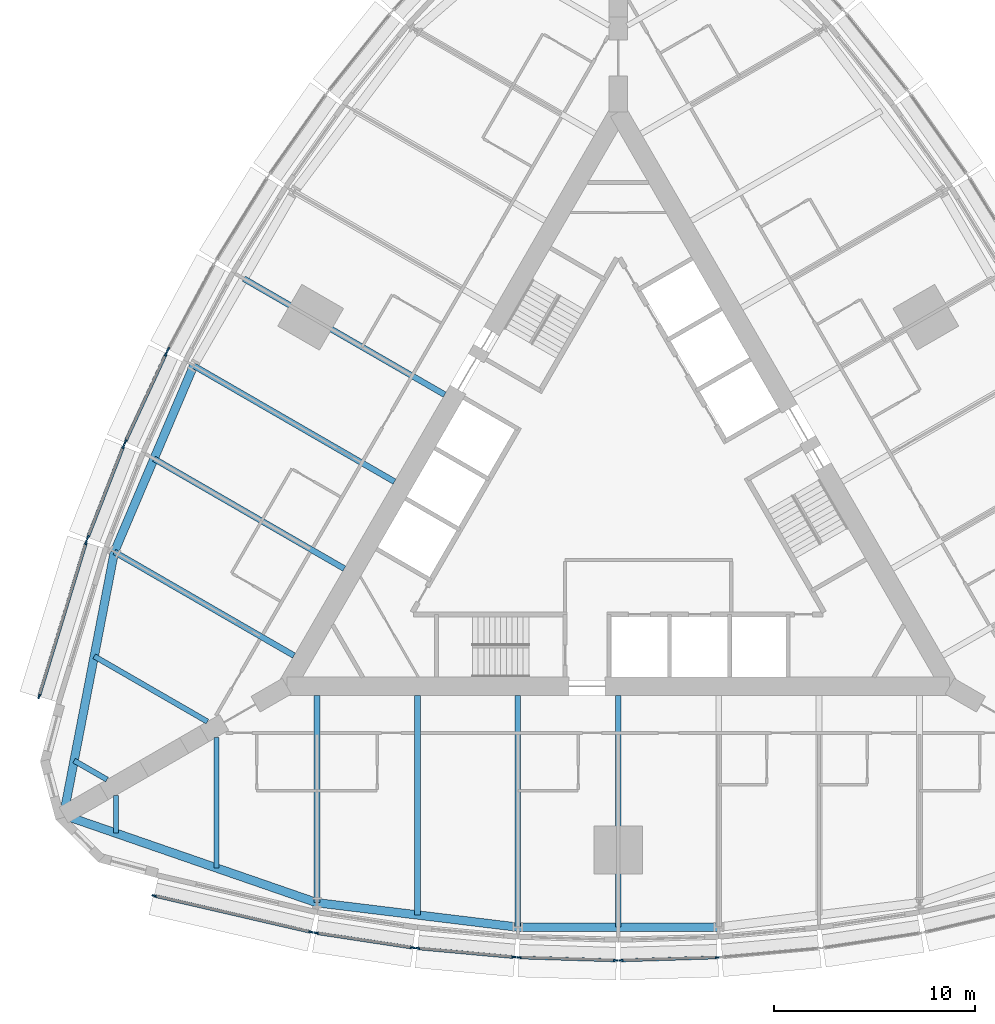
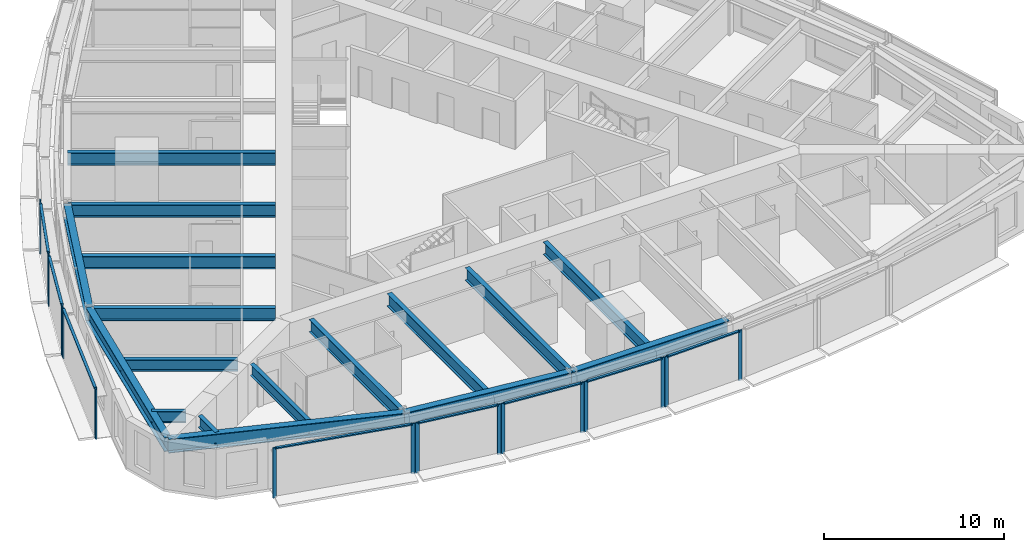
# One storey, part 2 of 14: 25 members, 17 beams, 9 elements without a shape of their own.
"""IFC4 building model written with IfcOpenShell, lengths in metres."""

from ifc_helpers import new_model, si_unit, direction, frame, origin, origin_2d, place, context, subcontext, project, spatial, rectangle, i_section, extrude, material, material_profile, profile_set, type_object, element, aggregate, save


model = new_model("IFC4")

# Units and contexts
model_context = context("Model", 3, precision=1e-05, world=origin(), true_north=direction((0.0, 1.0)))
body_context = subcontext(model_context, "Body", "Model", "MODEL_VIEW")
ifc_project = project(units=[si_unit("LENGTHUNIT", "METRE"), si_unit("AREAUNIT", "SQUARE_METRE"), si_unit("VOLUMEUNIT", "CUBIC_METRE"), si_unit("PLANEANGLEUNIT", "RADIAN"), si_unit("MASSUNIT", "GRAM", prefix="KILO")], contexts=[model_context])

# Site, building, storey
site_placement = place(None, origin())
site = spatial("IfcSite", under=ifc_project, at=site_placement, CompositionType="ELEMENT")
building_placement = place(site_placement, origin())
building = spatial("IfcBuilding", under=site, at=building_placement, Name="Trikona Tower", CompositionType="ELEMENT")
storey_placement = place(building_placement, frame((0.0, 0.0, 86.300048828125)))
storey = spatial("IfcBuildingStorey", under=building, at=storey_placement, Name="L22", CompositionType="ELEMENT", Elevation=86.300048828125)

# Curtain wall, members
ifc_material_1 = material(Name="Aluminium curtain wall system", Category="aluminium")
curtain_wall_type = type_object("IfcCurtainWallType", Name="Curtain wall DS1", PredefinedType="NOTDEFINED", material=ifc_material_1)
curtain_wall_1_placement = place(storey_placement, origin())
curtain_wall_1 = element("IfcCurtainWall", 1, at=curtain_wall_1_placement, inside=storey, type_object=curtain_wall_type, Name="Curtain wall DS1 L22", PredefinedType="NOTDEFINED")
ifc_material_2 = material(Name="Aluminium mullion, pale anodised", Category="aluminium")
ifc_material_profile_1 = material_profile(ifc_material_2, rectangle(XDim=0.080078125, YDim=0.219970703125, at=origin_2d()), Name="MUL-DS1")
ifc_profile_set_1 = profile_set([ifc_material_profile_1], Name="Aluminium mullion, pale anodised")
member_type_1 = type_object("IfcMemberType", Name="Mullion DS1 80x220", PredefinedType="MULLION", material=ifc_profile_set_1)
member_1_placement = place(storey_placement, frame((-23.10546875, -19.951904296875, 0.0), z_axis=(0.0, 0.0, 1.0), x_axis=(0.225343288756, 0.974279427173, 0.0)))
member_1 = element("IfcMember", 2, at=member_1_placement, type_object=member_type_1, Name="CW-DS1 mullion 1", PredefinedType="MULLION", context=body_context, shape_type="SweptSolid", body=[
    extrude(rectangle(XDim=0.080078125, YDim=0.219970703125, at=origin_2d()), origin(), (0.0, 0.0, 1.0), 3.39990234375),
])
member_2_placement = place(storey_placement, frame((-15.30029296875, -21.75732421875, 0.0), z_axis=(0.0, 0.0, 1.0), x_axis=(0.225343288756, 0.974279427173, 0.0)))
member_2 = element("IfcMember", 3, at=member_2_placement, type_object=member_type_1, Name="CW-DS1 mullion 2", PredefinedType="MULLION", context=body_context, shape_type="SweptSolid", body=[
    extrude(rectangle(XDim=0.080078125, YDim=0.219970703125, at=origin_2d()), origin(), (0.0, 0.0, 1.0), 3.39990234375),
])

curtain_wall_2_placement = place(storey_placement, origin())
curtain_wall_2 = element("IfcCurtainWall", 4, at=curtain_wall_2_placement, inside=storey, type_object=curtain_wall_type, Name="Curtain wall DS1 L22", PredefinedType="NOTDEFINED")
member_3_placement = place(storey_placement, frame((-15.03662109375, -21.807861328125, 0.0), z_axis=(0.0, 0.0, 1.0), x_axis=(0.150437693845, 0.988619492156, 0.0)))
member_3 = element("IfcMember", 5, at=member_3_placement, type_object=member_type_1, Name="CW-DS1 mullion 1", PredefinedType="MULLION", context=body_context, shape_type="SweptSolid", body=[
    extrude(rectangle(XDim=0.080078125, YDim=0.219970703125, at=origin_2d()), origin(), (0.0, 0.0, 1.0), 3.39990234375),
])
member_4_placement = place(storey_placement, frame((-10.234130859375, -22.53857421875, 0.0), z_axis=(0.0, 0.0, 1.0), x_axis=(0.150437693845, 0.988619492156, 0.0)))
member_4 = element("IfcMember", 6, at=member_4_placement, type_object=member_type_1, Name="CW-DS1 mullion 2", PredefinedType="MULLION", context=body_context, shape_type="SweptSolid", body=[
    extrude(rectangle(XDim=0.080078125, YDim=0.219970703125, at=origin_2d()), origin(), (0.0, 0.0, 1.0), 3.39990234375),
])

curtain_wall_3_placement = place(storey_placement, origin())
curtain_wall_3 = element("IfcCurtainWall", 7, at=curtain_wall_3_placement, inside=storey, type_object=curtain_wall_type, Name="Curtain wall DS1 L22", PredefinedType="NOTDEFINED")
member_5_placement = place(storey_placement, frame((-9.982177734375, -22.5693359375, 0.0), z_axis=(0.0, 0.0, 1.0), x_axis=(0.090923932737, 0.995857840485, 0.0)))
member_5 = element("IfcMember", 8, at=member_5_placement, type_object=member_type_1, Name="CW-DS1 mullion 1", PredefinedType="MULLION", context=body_context, shape_type="SweptSolid", body=[
    extrude(rectangle(XDim=0.080078125, YDim=0.219970703125, at=origin_2d()), origin(), (0.0, 0.0, 1.0), 3.39990234375),
])
member_6_placement = place(storey_placement, frame((-5.181396484375, -23.007568359375, 0.0), z_axis=(0.0, 0.0, 1.0), x_axis=(0.090923932737, 0.995857840485, 0.0)))
member_6 = element("IfcMember", 9, at=member_6_placement, type_object=member_type_1, Name="CW-DS1 mullion 2", PredefinedType="MULLION", context=body_context, shape_type="SweptSolid", body=[
    extrude(rectangle(XDim=0.080078125, YDim=0.219970703125, at=origin_2d()), origin(), (0.0, 0.0, 1.0), 3.39990234375),
])

curtain_wall_4_placement = place(storey_placement, origin())
curtain_wall_4 = element("IfcCurtainWall", 10, at=curtain_wall_4_placement, inside=storey, type_object=curtain_wall_type, Name="Curtain wall DS1 L22", PredefinedType="NOTDEFINED")
member_7_placement = place(storey_placement, frame((-4.927490234375, -23.02294921875, 0.0), z_axis=(0.0, 0.0, 1.0), x_axis=(0.030436711692, 0.999536695965, 0.0)))
member_7 = element("IfcMember", 11, at=member_7_placement, type_object=member_type_1, Name="CW-DS1 mullion 1", PredefinedType="MULLION", context=body_context, shape_type="SweptSolid", body=[
    extrude(rectangle(XDim=0.080078125, YDim=0.219970703125, at=origin_2d()), origin(), (0.0, 0.0, 1.0), 3.39990234375),
])
member_8_placement = place(storey_placement, frame((-0.12744140625, -23.169189453125, 0.0), z_axis=(0.0, 0.0, 1.0), x_axis=(0.030436711692, 0.999536695965, 0.0)))
member_8 = element("IfcMember", 12, at=member_8_placement, type_object=member_type_1, Name="CW-DS1 mullion 2", PredefinedType="MULLION", context=body_context, shape_type="SweptSolid", body=[
    extrude(rectangle(XDim=0.080078125, YDim=0.219970703125, at=origin_2d()), origin(), (0.0, 0.0, 1.0), 3.39990234375),
])

curtain_wall_5_placement = place(storey_placement, origin())
curtain_wall_5 = element("IfcCurtainWall", 13, at=curtain_wall_5_placement, inside=storey, type_object=curtain_wall_type, Name="Curtain wall DS1 L22", PredefinedType="NOTDEFINED")
member_9_placement = place(storey_placement, frame((0.12744140625, -23.169189453125, 0.0), z_axis=(0.0, 0.0, 1.0), x_axis=(-0.030436711692, 0.999536695965, 0.0)))
member_9 = element("IfcMember", 14, at=member_9_placement, type_object=member_type_1, Name="CW-DS1 mullion 1", PredefinedType="MULLION", context=body_context, shape_type="SweptSolid", body=[
    extrude(rectangle(XDim=0.080078125, YDim=0.219970703125, at=origin_2d()), origin(), (0.0, 0.0, 1.0), 3.39990234375),
])
member_10_placement = place(storey_placement, frame((4.927490234375, -23.02294921875, 0.0), z_axis=(0.0, 0.0, 1.0), x_axis=(-0.030436711692, 0.999536695965, 0.0)))
member_10 = element("IfcMember", 15, at=member_10_placement, type_object=member_type_1, Name="CW-DS1 mullion 2", PredefinedType="MULLION", context=body_context, shape_type="SweptSolid", body=[
    extrude(rectangle(XDim=0.080078125, YDim=0.219970703125, at=origin_2d()), origin(), (0.0, 0.0, 1.0), 3.39990234375),
])

# Curtain wall, member
curtain_wall_6_placement = place(storey_placement, origin())
curtain_wall_6 = element("IfcCurtainWall", 16, at=curtain_wall_6_placement, inside=storey, type_object=curtain_wall_type, Name="Curtain wall DS1 L22", PredefinedType="NOTDEFINED")
member_11_placement = place(storey_placement, frame((-22.402099609375, 7.244140625, 0.0), z_axis=(0.0, 0.0, 1.0), x_axis=(0.880843080975, -0.473408350896, 0.0)))
member_11 = element("IfcMember", 17, at=member_11_placement, type_object=member_type_1, Name="CW-DS1 mullion 2", PredefinedType="MULLION", context=body_context, shape_type="SweptSolid", body=[
    extrude(rectangle(XDim=0.080078125, YDim=0.219970703125, at=origin_2d()), origin(), (0.0, 0.0, 1.0), 3.39990234375),
])
aggregate(curtain_wall_6, [member_11])

# Curtain wall, members
curtain_wall_7_placement = place(storey_placement, origin())
curtain_wall_7 = element("IfcCurtainWall", 18, at=curtain_wall_7_placement, inside=storey, type_object=curtain_wall_type, Name="Curtain wall DS1 L22", PredefinedType="NOTDEFINED")
member_12_placement = place(storey_placement, frame((-22.515869140625, 7.0166015625, 0.0), z_axis=(0.0, 0.0, 1.0), x_axis=(0.907898459992, -0.419190155352, 0.0)))
member_12 = element("IfcMember", 19, at=member_12_placement, type_object=member_type_1, Name="CW-DS1 mullion 1", PredefinedType="MULLION", context=body_context, shape_type="SweptSolid", body=[
    extrude(rectangle(XDim=0.080078125, YDim=0.219970703125, at=origin_2d()), origin(), (0.0, 0.0, 1.0), 3.39990234375),
])
member_13_placement = place(storey_placement, frame((-24.53662109375, 2.6396484375, 0.0), z_axis=(0.0, 0.0, 1.0), x_axis=(0.907898459992, -0.419190155352, 0.0)))
member_13 = element("IfcMember", 20, at=member_13_placement, type_object=member_type_1, Name="CW-DS1 mullion 2", PredefinedType="MULLION", context=body_context, shape_type="SweptSolid", body=[
    extrude(rectangle(XDim=0.080078125, YDim=0.219970703125, at=origin_2d()), origin(), (0.0, 0.0, 1.0), 3.39990234375),
])

curtain_wall_8_placement = place(storey_placement, origin())
curtain_wall_8 = element("IfcCurtainWall", 21, at=curtain_wall_8_placement, inside=storey, type_object=curtain_wall_type, Name="Curtain wall DS1 L22", PredefinedType="NOTDEFINED")
member_14_placement = place(storey_placement, frame((-24.63623046875, 2.40625, 0.0), z_axis=(0.0, 0.0, 1.0), x_axis=(0.931395989443, -0.36400756977, 0.0)))
member_14 = element("IfcMember", 22, at=member_14_placement, type_object=member_type_1, Name="CW-DS1 mullion 1", PredefinedType="MULLION", context=body_context, shape_type="SweptSolid", body=[
    extrude(rectangle(XDim=0.080078125, YDim=0.219970703125, at=origin_2d()), origin(), (0.0, 0.0, 1.0), 3.39990234375),
])
member_15_placement = place(storey_placement, frame((-26.404296875, -2.1181640625, 0.0), z_axis=(0.0, 0.0, 1.0), x_axis=(0.931395989443, -0.36400756977, 0.0)))
member_15 = element("IfcMember", 23, at=member_15_placement, type_object=member_type_1, Name="CW-DS1 mullion 2", PredefinedType="MULLION", context=body_context, shape_type="SweptSolid", body=[
    extrude(rectangle(XDim=0.080078125, YDim=0.219970703125, at=origin_2d()), origin(), (0.0, 0.0, 1.0), 3.39990234375),
])

curtain_wall_9_placement = place(storey_placement, origin())
curtain_wall_9 = element("IfcCurtainWall", 24, at=curtain_wall_9_placement, inside=storey, type_object=curtain_wall_type, Name="Curtain wall DS1 L22", PredefinedType="NOTDEFINED")
member_16_placement = place(storey_placement, frame((-26.492431640625, -2.371826171875, 0.0), z_axis=(0.0, 0.0, 1.0), x_axis=(0.956423115383, -0.291984287868, 0.0)))
member_16 = element("IfcMember", 25, at=member_16_placement, type_object=member_type_1, Name="CW-DS1 mullion 1", PredefinedType="MULLION", context=body_context, shape_type="SweptSolid", body=[
    extrude(rectangle(XDim=0.080078125, YDim=0.219970703125, at=origin_2d()), origin(), (0.0, 0.0, 1.0), 3.39990234375),
])
member_17_placement = place(storey_placement, frame((-28.83154296875, -10.033935546875, 0.0), z_axis=(0.0, 0.0, 1.0), x_axis=(0.956423115383, -0.291984287868, 0.0)))
member_17 = element("IfcMember", 26, at=member_17_placement, type_object=member_type_1, Name="CW-DS1 mullion 2", PredefinedType="MULLION", context=body_context, shape_type="SweptSolid", body=[
    extrude(rectangle(XDim=0.080078125, YDim=0.219970703125, at=origin_2d()), origin(), (0.0, 0.0, 1.0), 3.39990234375),
])

# Beams
ifc_material_3 = material(Name="Steel ASTM A992 Grade 50", Category="steel")
ifc_material_profile_2 = material_profile(ifc_material_3, i_section(OverallWidth=0.2666015625, OverallDepth=0.76953125, WebThickness=0.015625, FlangeThickness=0.025390625, at=origin_2d()), Name="W30X132")
ifc_profile_set_2 = profile_set([ifc_material_profile_2], Name="Steel ASTM A992 Grade 50")
beam_type_1 = type_object("IfcBeamType", Name="Steel beam W30x132 (wedge)", PredefinedType="BEAM", material=ifc_profile_set_2)
beam_1_placement = place(storey_placement, frame((-25.0, -14.953369140625, 2.85009765625), z_axis=(0.0, -1.0, 0.0), x_axis=(1.0, 0.0, 0.0)))
element("IfcBeam", 27, at=beam_1_placement, inside=storey, type_object=beam_type_1, Name="Floor beam L23 F1 u-25", PredefinedType="BEAM", context=body_context, shape_type="SweptSolid", body=[
    extrude(i_section(OverallWidth=0.2666015625, OverallDepth=0.76953125, WebThickness=0.015625, FlangeThickness=0.025390625, at=origin_2d()), origin(), (0.0, 0.0, 1.0), 1.890380859375),
])
for number, where, z_axis, x_axis, name in (
    (28, (-20.0, -12.066650390625, 2.85009765625), (0.0, -1.0, 0.0), (1.0, 0.0, 0.0), "Floor beam L23 F1 u-20"),
    (29, (-20.449951171875, -11.287109375, 2.85009765625), (-0.866022504693, 0.50000502134, 0.0), (-0.50000502134, -0.866022504693, 0.0), "Floor beam L23 F3 u20"),
):
    element("IfcBeam", number, at=place(storey_placement, frame(where, z_axis=z_axis, x_axis=x_axis)), inside=storey, type_object=beam_type_1, Name=name, PredefinedType="BEAM", context=body_context, shape_type="SweptSolid", body=[
        extrude(i_section(OverallWidth=0.2666015625, OverallDepth=0.76953125, WebThickness=0.015625, FlangeThickness=0.025390625, at=origin_2d()), origin(), (0.0, 0.0, 1.0), 6.5068359375),
    ])
beam_2_placement = place(storey_placement, frame((-25.449951171875, -14.173828125, 2.85009765625), z_axis=(-0.866065156741, 0.499931139538, 0.0), x_axis=(-0.499931139538, -0.866065156741, 0.0)))
element("IfcBeam", 30, at=beam_2_placement, inside=storey, type_object=beam_type_1, Name="Floor beam L23 F3 u25", PredefinedType="BEAM", context=body_context, shape_type="SweptSolid", body=[
    extrude(i_section(OverallWidth=0.2666015625, OverallDepth=0.76953125, WebThickness=0.015625, FlangeThickness=0.025390625, at=origin_2d()), origin(), (0.0, 0.0, 1.0), 1.890380859375),
])
ifc_material_4 = material(Name="Steel ASTM A992 Grade 50", Category="steel")
ifc_material_profile_3 = material_profile(ifc_material_4, i_section(OverallWidth=0.2919921875, OverallDepth=0.845703125, WebThickness=0.015380859375, FlangeThickness=0.0244140625, at=origin_2d()), Name="W33X141")
ifc_profile_set_3 = profile_set([ifc_material_profile_3], Name="Steel ASTM A992 Grade 50")
beam_type_2 = type_object("IfcBeamType", Name="Steel beam W33x141 (radial typ)", PredefinedType="BEAM", material=ifc_profile_set_3)
beam_3_placement = place(storey_placement, frame((-15.0, -9.976318359375, 2.81201171875), z_axis=(0.0, -1.0, 0.0), x_axis=(1.0, 0.0, 0.0)))
element("IfcBeam", 31, at=beam_3_placement, inside=storey, type_object=beam_type_2, Name="Floor beam L23 F1 u-15", PredefinedType="BEAM", context=body_context, shape_type="SweptSolid", body=[
    extrude(i_section(OverallWidth=0.2919921875, OverallDepth=0.845703125, WebThickness=0.015380859375, FlangeThickness=0.0244140625, at=origin_2d()), origin(), (0.0, 0.0, 1.0), 10.32666015625),
])
beam_4_placement = place(storey_placement, frame((-10.0, -9.976318359375, 2.81201171875), z_axis=(0.0, -1.0, 0.0), x_axis=(1.0, 0.0, 0.0)))
element("IfcBeam", 32, at=beam_4_placement, inside=storey, type_object=beam_type_2, Name="Floor beam L23 F1 u-10", PredefinedType="BEAM", context=body_context, shape_type="SweptSolid", body=[
    extrude(i_section(OverallWidth=0.2919921875, OverallDepth=0.845703125, WebThickness=0.015380859375, FlangeThickness=0.0244140625, at=origin_2d()), origin(), (0.0, 0.0, 1.0), 10.935302734375),
])
for number, where, z_axis, x_axis, name in (
    (33, (-5.0, -9.976318359375, 2.81201171875), (0.0, -1.0, 0.0), (1.0, 0.0, 0.0), "Floor beam L23 F1 u-5"),
    (34, (0.0, -9.976318359375, 2.81201171875), (0.0, -1.0, 0.0), (1.0, 0.0, 0.0), "Floor beam L23 F1 u0"),
    (35, (-8.6396484375, 4.988037109375, 2.81201171875), (-0.866020765707, 0.500008033299, 0.0), (-0.500008033299, -0.866020765707, 0.0), "Floor beam L23 F3 u0"),
    (36, (-11.1396484375, 0.657958984375, 2.81201171875), (-0.866020765707, 0.500008033299, 0.0), (-0.500008033299, -0.866020765707, 0.0), "Floor beam L23 F3 u5"),
):
    element("IfcBeam", number, at=place(storey_placement, frame(where, z_axis=z_axis, x_axis=x_axis)), inside=storey, type_object=beam_type_2, Name=name, PredefinedType="BEAM", context=body_context, shape_type="SweptSolid", body=[
        extrude(i_section(OverallWidth=0.2919921875, OverallDepth=0.845703125, WebThickness=0.015380859375, FlangeThickness=0.0244140625, at=origin_2d()), origin(), (0.0, 0.0, 1.0), 11.544189453125),
    ])
beam_5_placement = place(storey_placement, frame((-13.6396484375, -3.672119140625, 2.81201171875), z_axis=(-0.866025348605, 0.500000095573, 0.0), x_axis=(-0.500000095573, -0.866025348605, 0.0)))
element("IfcBeam", 37, at=beam_5_placement, inside=storey, type_object=beam_type_2, Name="Floor beam L23 F3 u10", PredefinedType="BEAM", context=body_context, shape_type="SweptSolid", body=[
    extrude(i_section(OverallWidth=0.2919921875, OverallDepth=0.845703125, WebThickness=0.015380859375, FlangeThickness=0.0244140625, at=origin_2d()), origin(), (0.0, 0.0, 1.0), 10.935546875),
])
beam_6_placement = place(storey_placement, frame((-16.1396484375, -8.002197265625, 2.81201171875), z_axis=(-0.866030471684, 0.499991222037, 0.0), x_axis=(-0.499991222037, -0.866030471684, 0.0)))
element("IfcBeam", 38, at=beam_6_placement, inside=storey, type_object=beam_type_2, Name="Floor beam L23 F3 u15", PredefinedType="BEAM", context=body_context, shape_type="SweptSolid", body=[
    extrude(i_section(OverallWidth=0.2919921875, OverallDepth=0.845703125, WebThickness=0.015380859375, FlangeThickness=0.0244140625, at=origin_2d()), origin(), (0.0, 0.0, 1.0), 10.326904296875),
])
ifc_material_5 = material(Name="Steel ASTM A992 Grade 50", Category="steel")
ifc_material_profile_4 = material_profile(ifc_material_5, i_section(OverallWidth=0.424072265625, OverallDepth=0.947509765625, WebThickness=0.02392578125, FlangeThickness=0.042724609375, at=origin_2d()), Name="W36X302")
ifc_profile_set_4 = profile_set([ifc_material_profile_4], Name="Steel ASTM A992 Grade 50")
beam_type_3 = type_object("IfcBeamType", Name="Steel beam W36x302 (spandrel)", PredefinedType="SPANDREL", material=ifc_profile_set_4)
beam_7_placement = place(storey_placement, frame((-27.6103515625, -15.94091796875, 2.76123046875), z_axis=(0.945056965739, -0.326905692071, 0.0), x_axis=(0.326905692071, 0.945056965739, 0.0)))
element("IfcBeam", 39, at=beam_7_placement, inside=storey, type_object=beam_type_3, Name="Spandrel beam L23 F1-1", PredefinedType="SPANDREL", context=body_context, shape_type="SweptSolid", body=[
    extrude(i_section(OverallWidth=0.424072265625, OverallDepth=0.947509765625, WebThickness=0.02392578125, FlangeThickness=0.042724609375, at=origin_2d()), origin(), (0.0, 0.0, 1.0), 13.343505859375),
])
beam_8_placement = place(storey_placement, frame((-15.0, -20.302978515625, 2.76123046875), z_axis=(0.99266951126, -0.120860421207, 0.0), x_axis=(0.120860421207, 0.99266951126, 0.0)))
element("IfcBeam", 40, at=beam_8_placement, inside=storey, type_object=beam_type_3, Name="Spandrel beam L23 F1-2", PredefinedType="SPANDREL", context=body_context, shape_type="SweptSolid", body=[
    extrude(i_section(OverallWidth=0.424072265625, OverallDepth=0.947509765625, WebThickness=0.02392578125, FlangeThickness=0.042724609375, at=origin_2d()), origin(), (0.0, 0.0, 1.0), 10.07373046875),
])
beam_9_placement = place(storey_placement, frame((-5.0, -21.5205078125, 2.76123046875), z_axis=(1.0, 0.0, 0.0), x_axis=(0.0, 1.0, 0.0)))
element("IfcBeam", 41, at=beam_9_placement, inside=storey, type_object=beam_type_3, Name="Spandrel beam L23 F1-3", PredefinedType="SPANDREL", context=body_context, shape_type="SweptSolid", body=[
    extrude(i_section(OverallWidth=0.424072265625, OverallDepth=0.947509765625, WebThickness=0.02392578125, FlangeThickness=0.042724609375, at=origin_2d()), origin(), (0.0, 0.0, 1.0), 10.0),
])
beam_10_placement = place(storey_placement, frame((-21.13720703125, 6.43017578125, 2.76123046875), z_axis=(-0.391683514847, -0.920100007715, 0.0), x_axis=(0.920100007715, -0.391683514847, 0.0)))
element("IfcBeam", 42, at=beam_10_placement, inside=storey, type_object=beam_type_3, Name="Spandrel beam L23 F3-4", PredefinedType="SPANDREL", context=body_context, shape_type="SweptSolid", body=[
    extrude(i_section(OverallWidth=0.424072265625, OverallDepth=0.947509765625, WebThickness=0.02392578125, FlangeThickness=0.042724609375, at=origin_2d()), origin(), (0.0, 0.0, 1.0), 10.073974609375),
])
beam_11_placement = place(storey_placement, frame((-25.0830078125, -2.8388671875, 2.76123046875), z_axis=(-0.189405184036, -0.981899015307, 0.0), x_axis=(0.981899015307, -0.189405184036, 0.0)))
element("IfcBeam", 43, at=beam_11_placement, inside=storey, type_object=beam_type_3, Name="Spandrel beam L23 F3-5", PredefinedType="SPANDREL", context=body_context, shape_type="SweptSolid", body=[
    extrude(i_section(OverallWidth=0.424072265625, OverallDepth=0.947509765625, WebThickness=0.02392578125, FlangeThickness=0.042724609375, at=origin_2d()), origin(), (0.0, 0.0, 1.0), 13.343505859375),
])

# Member
ifc_material_6 = material(Name="Aluminium transom, pale anodised", Category="aluminium")
ifc_material_profile_5 = material_profile(ifc_material_6, rectangle(XDim=0.159912109375, YDim=0.080078125, at=origin_2d()), Name="TRN-DS1")
ifc_profile_set_5 = profile_set([ifc_material_profile_5], Name="Aluminium transom, pale anodised")
member_type_2 = type_object("IfcMemberType", Name="Transom DS1 80x160", PredefinedType="USERDEFINED", material=ifc_profile_set_5)
member_18_placement = place(storey_placement, frame((-23.06640625, -19.9609375, 3.35986328125), z_axis=(0.974275371842, -0.225360821398, 0.0), x_axis=(0.225360821398, 0.974275371842, 0.0)))
member_18 = element("IfcMember", 44, at=member_18_placement, type_object=member_type_2, Name="CW-DS1 transom 1.1", ObjectType="TRANSOM", PredefinedType="USERDEFINED", context=body_context, shape_type="SweptSolid", body=[
    extrude(rectangle(XDim=0.159912109375, YDim=0.080078125, at=origin_2d()), origin(), (0.0, 0.0, 1.0), 7.93115234375),
])

aggregate(curtain_wall_1, [member_1, member_2, member_18])

member_19_placement = place(storey_placement, frame((-14.9970703125, -21.813720703125, 3.35986328125), z_axis=(0.988619663412, -0.150436568413, 0.0), x_axis=(0.150436568413, 0.988619663412, 0.0)))
member_19 = element("IfcMember", 45, at=member_19_placement, type_object=member_type_2, Name="CW-DS1 transom 1.1", ObjectType="TRANSOM", PredefinedType="USERDEFINED", context=body_context, shape_type="SweptSolid", body=[
    extrude(rectangle(XDim=0.159912109375, YDim=0.080078125, at=origin_2d()), origin(), (0.0, 0.0, 1.0), 4.77783203125),
])

aggregate(curtain_wall_2, [member_3, member_4, member_19])

member_20_placement = place(storey_placement, frame((-9.9423828125, -22.57275390625, 3.35986328125), z_axis=(0.995855977008, -0.090944340438, 0.0), x_axis=(0.090944340438, 0.995855977008, 0.0)))
member_20 = element("IfcMember", 46, at=member_20_placement, type_object=member_type_2, Name="CW-DS1 transom 1.1", ObjectType="TRANSOM", PredefinedType="USERDEFINED", context=body_context, shape_type="SweptSolid", body=[
    extrude(rectangle(XDim=0.159912109375, YDim=0.080078125, at=origin_2d()), origin(), (0.0, 0.0, 1.0), 4.74072265625),
])

aggregate(curtain_wall_3, [member_5, member_6, member_20])

member_21_placement = place(storey_placement, frame((-4.887451171875, -23.024169921875, 3.35986328125), z_axis=(0.999536232946, -0.030451913371, 0.0), x_axis=(0.030451913371, 0.999536232946, 0.0)))
member_21 = element("IfcMember", 47, at=member_21_placement, type_object=member_type_2, Name="CW-DS1 transom 1.1", ObjectType="TRANSOM", PredefinedType="USERDEFINED", context=body_context, shape_type="SweptSolid", body=[
    extrude(rectangle(XDim=0.159912109375, YDim=0.080078125, at=origin_2d()), origin(), (0.0, 0.0, 1.0), 4.72216796875),
])

aggregate(curtain_wall_4, [member_7, member_8, member_21])

member_22_placement = place(storey_placement, frame((0.16748046875, -23.16796875, 3.35986328125), z_axis=(0.999536232946, 0.030451913371, 0.0), x_axis=(-0.030451913371, 0.999536232946, 0.0)))
member_22 = element("IfcMember", 48, at=member_22_placement, type_object=member_type_2, Name="CW-DS1 transom 1.1", ObjectType="TRANSOM", PredefinedType="USERDEFINED", context=body_context, shape_type="SweptSolid", body=[
    extrude(rectangle(XDim=0.159912109375, YDim=0.080078125, at=origin_2d()), origin(), (0.0, 0.0, 1.0), 4.72216796875),
])

aggregate(curtain_wall_5, [member_9, member_10, member_22])

member_23_placement = place(storey_placement, frame((-22.53271484375, 6.980224609375, 3.35986328125), z_axis=(-0.419188800665, -0.90789908547, 0.0), x_axis=(0.90789908547, -0.419188800665, 0.0)))
member_23 = element("IfcMember", 49, at=member_23_placement, type_object=member_type_2, Name="CW-DS1 transom 1.1", ObjectType="TRANSOM", PredefinedType="USERDEFINED", context=body_context, shape_type="SweptSolid", body=[
    extrude(rectangle(XDim=0.159912109375, YDim=0.080078125, at=origin_2d()), origin(), (0.0, 0.0, 1.0), 4.74072265625),
])

aggregate(curtain_wall_7, [member_12, member_13, member_23])

member_24_placement = place(storey_placement, frame((-24.650634765625, 2.368896484375, 3.35986328125), z_axis=(-0.364048647668, -0.931379934362, 0.0), x_axis=(0.931379934362, -0.364048647668, 0.0)))
member_24 = element("IfcMember", 50, at=member_24_placement, type_object=member_type_2, Name="CW-DS1 transom 1.1", ObjectType="TRANSOM", PredefinedType="USERDEFINED", context=body_context, shape_type="SweptSolid", body=[
    extrude(rectangle(XDim=0.159912109375, YDim=0.080078125, at=origin_2d()), origin(), (0.0, 0.0, 1.0), 4.777587890625),
])

aggregate(curtain_wall_8, [member_14, member_15, member_24])

member_25_placement = place(storey_placement, frame((-26.504150390625, -2.409912109375, 3.35986328125), z_axis=(-0.291967490203, -0.956428243343, 0.0), x_axis=(0.956428243343, -0.291967490203, 0.0)))
member_25 = element("IfcMember", 51, at=member_25_placement, type_object=member_type_2, Name="CW-DS1 transom 1.1", ObjectType="TRANSOM", PredefinedType="USERDEFINED", context=body_context, shape_type="SweptSolid", body=[
    extrude(rectangle(XDim=0.159912109375, YDim=0.080078125, at=origin_2d()), origin(), (0.0, 0.0, 1.0), 7.93115234375),
])

aggregate(curtain_wall_9, [member_16, member_17, member_25])

save(model, "model.ifc")
